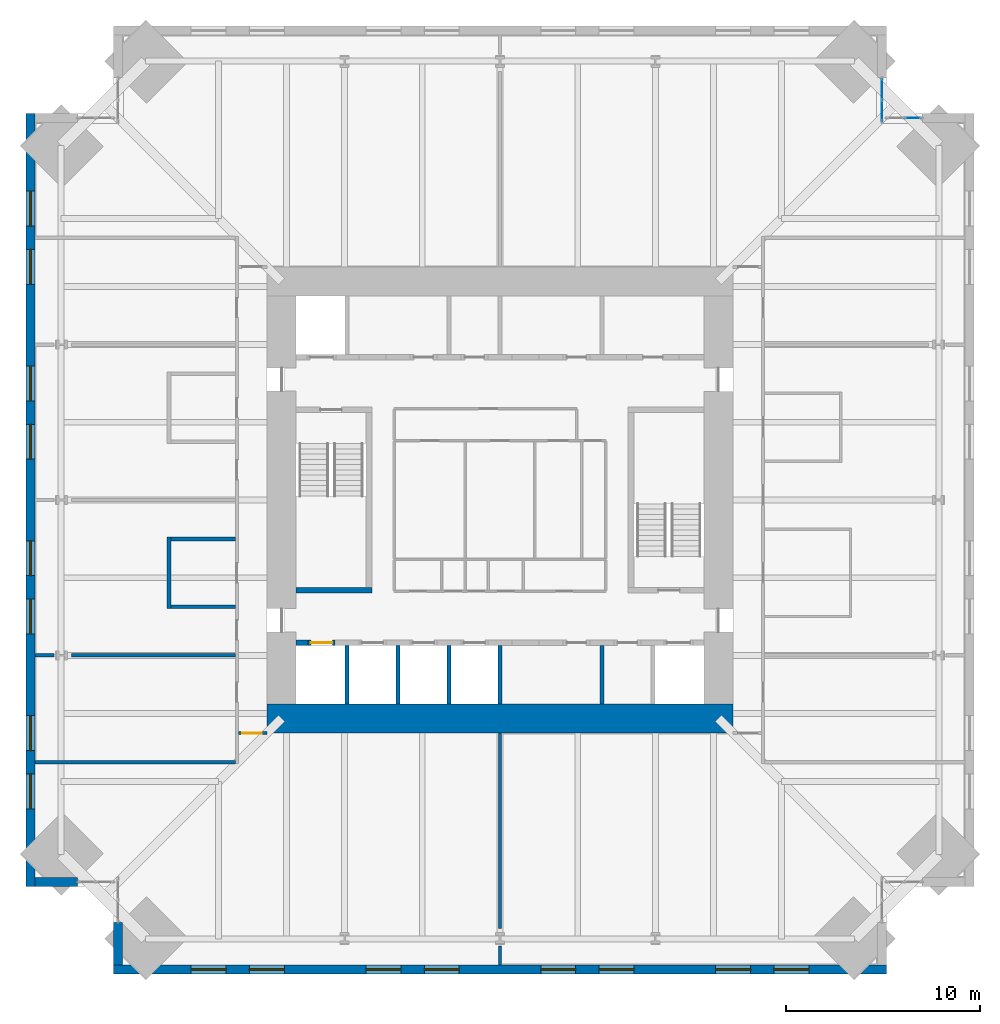
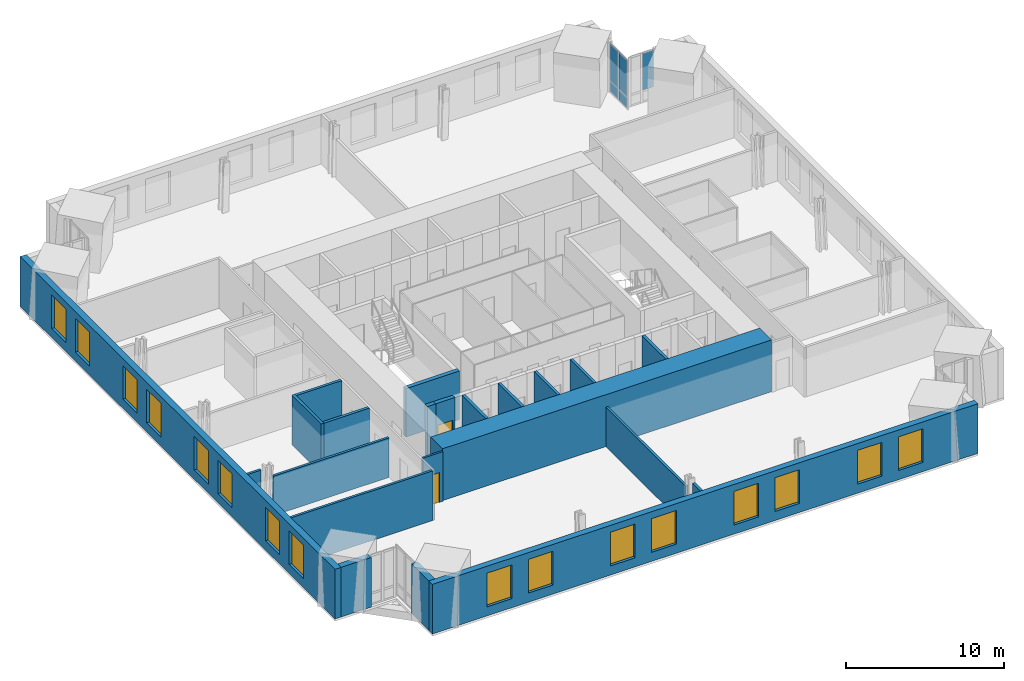
# One storey, part 10 of 15: 22 walls, 16 windows, 5 plates, 2 doors, 18 openings, 2 elements without a shape of their own.
"""IFC4 building model written with IfcOpenShell, lengths in metres."""

from ifc_helpers import new_model, si_unit, direction, frame, frame_2d, origin, origin_2d, place, context, subcontext, project, spatial, rectangle, extrude, material, layer, layer_set, type_object, element, fill, aggregate, save


model = new_model("IFC4")

# Units and contexts
model_context = context("Model", 3, precision=1e-05, world=origin(), true_north=direction((0.0, 1.0)))
body_context = subcontext(model_context, "Body", "Model", "MODEL_VIEW")
ifc_project = project(units=[si_unit("LENGTHUNIT", "METRE"), si_unit("AREAUNIT", "SQUARE_METRE"), si_unit("VOLUMEUNIT", "CUBIC_METRE"), si_unit("PLANEANGLEUNIT", "RADIAN"), si_unit("MASSUNIT", "GRAM", prefix="KILO")], contexts=[model_context])

# Site, building, storey
site_placement = place(None, origin())
site = spatial("IfcSite", under=ifc_project, at=site_placement, CompositionType="ELEMENT")
building_placement = place(site_placement, origin())
building = spatial("IfcBuilding", under=site, at=building_placement, Name="Peilmerk Tower", CompositionType="ELEMENT")
storey_placement = place(building_placement, frame((0.0, 0.0, 205.800048828125)))
storey = spatial("IfcBuildingStorey", under=building, at=storey_placement, Name="L44", CompositionType="ELEMENT", Elevation=205.800048828125)

# Curtain wall, plates
ifc_material_1 = material(Name="Aluminium stick curtain wall", Category="aluminium")
curtain_wall_type = type_object("IfcCurtainWallType", Name="CW4 stick curtain wall, 2250 module", PredefinedType="NOTDEFINED", material=ifc_material_1)
curtain_wall_1_placement = place(storey_placement, origin())
curtain_wall_1 = element("IfcCurtainWall", 1, at=curtain_wall_1_placement, inside=storey, type_object=curtain_wall_type, Name="Curtain wall CW4 NEA L44", PredefinedType="NOTDEFINED")
ifc_material_2 = material(Name="Clear insulated glazing unit", Category="glass")
ifc_layer_1 = layer(ifc_material_2, 0.028076171875)
ifc_layer_set_1 = layer_set([ifc_layer_1], Name="Clear insulated glazing unit")
plate_type = type_object("IfcPlateType", Name="CW4-P 28 glazed panel", PredefinedType="CURTAIN_PANEL", material=ifc_layer_set_1)
plate_1_placement = place(storey_placement, frame((19.675048828125, 20.038330078125, 0.06494140625), z_axis=(0.0, 0.0, 1.0), x_axis=(0.0, 1.0, 0.0)))
plate_1 = element("IfcPlate", 2, at=plate_1_placement, type_object=plate_type, Name="CW4 panel 1.1", PredefinedType="CURTAIN_PANEL", context=body_context, shape_type="SweptSolid", body=[
    extrude(rectangle(XDim=1.046875, YDim=0.028076171875, at=origin_2d()), origin(), (0.0, 0.0, 1.0), 0.802490234375),
])
plate_2_placement = place(storey_placement, frame((19.675048828125, 20.038330078125, 0.932373046875), z_axis=(0.0, 0.0, 1.0), x_axis=(0.0, 1.0, 0.0)))
plate_2 = element("IfcPlate", 3, at=plate_2_placement, type_object=plate_type, Name="CW4 panel 1.2", PredefinedType="CURTAIN_PANEL", context=body_context, shape_type="SweptSolid", body=[
    extrude(rectangle(XDim=1.046875, YDim=0.028076171875, at=origin_2d()), origin(), (0.0, 0.0, 1.0), 2.83251953125),
])
plate_3_placement = place(storey_placement, frame((19.675048828125, 21.150146484375, 0.06494140625), z_axis=(0.0, 0.0, 1.0), x_axis=(0.0, 1.0, 0.0)))
plate_3 = element("IfcPlate", 4, at=plate_3_placement, type_object=plate_type, Name="CW4 panel 2.1", PredefinedType="CURTAIN_PANEL", context=body_context, shape_type="SweptSolid", body=[
    extrude(rectangle(XDim=1.046875, YDim=0.028076171875, at=origin_2d()), origin(), (0.0, 0.0, 1.0), 0.802490234375),
])
plate_4_placement = place(storey_placement, frame((19.675048828125, 21.150146484375, 0.932373046875), z_axis=(0.0, 0.0, 1.0), x_axis=(0.0, 1.0, 0.0)))
plate_4 = element("IfcPlate", 5, at=plate_4_placement, type_object=plate_type, Name="CW4 panel 2.2", PredefinedType="CURTAIN_PANEL", context=body_context, shape_type="SweptSolid", body=[
    extrude(rectangle(XDim=1.046875, YDim=0.028076171875, at=origin_2d()), origin(), (0.0, 0.0, 1.0), 2.83251953125),
])
aggregate(curtain_wall_1, [plate_1, plate_2, plate_3, plate_4])

# Curtain wall, plate
curtain_wall_2_placement = place(storey_placement, origin())
curtain_wall_2 = element("IfcCurtainWall", 6, at=curtain_wall_2_placement, inside=storey, type_object=curtain_wall_type, Name="Curtain wall CW4 NEB L44", PredefinedType="NOTDEFINED")
plate_5_placement = place(storey_placement, frame((21.2626953125, 19.675048828125, 0.932373046875), z_axis=(0.0, 0.0, 1.0), x_axis=(1.0, 0.0, 0.0)))
plate_5 = element("IfcPlate", 7, at=plate_5_placement, type_object=plate_type, Name="CW4 panel 2.2", PredefinedType="CURTAIN_PANEL", context=body_context, shape_type="SweptSolid", body=[
    extrude(rectangle(XDim=0.82177734375, YDim=0.028076171875, at=origin_2d()), origin(), (0.0, 0.0, 1.0), 2.83251953125),
])
aggregate(curtain_wall_2, [plate_5])

# Wall, openings, windows
ifc_material_3 = material(Name="Precast concrete C45/55, board-marked finish", Category="concrete")
ifc_layer_2 = layer(ifc_material_3, 0.449951171875)
ifc_layer_set_2 = layer_set([ifc_layer_2], Name="Precast concrete C45/55, board-marked finish")
wall_type_1 = type_object("IfcWallType", Name="EW1 450 precast concrete facade wall, board-marked", PredefinedType="SOLIDWALL", material=ifc_layer_set_2)
wall_1_placement = place(storey_placement, frame((-19.89990234375, -24.175048828125, 0.0), z_axis=(0.0, 0.0, 1.0), x_axis=(1.0, 0.0, 0.0)))
wall_1 = element("IfcWall", 8, at=wall_1_placement, inside=storey, type_object=wall_type_1, Name="Facade wall S L44", PredefinedType="SOLIDWALL", context=body_context, shape_type="SweptSolid", body=[
    extrude(rectangle(XDim=39.7998046875, YDim=0.449951171875, at=frame_2d((19.89990234375, 0.0))), origin(), (0.0, 0.0, 1.0), 3.829833984375),
])
opening_1_placement = place(wall_1_placement, frame((4.0, 0.0, 0.699951171875)))
opening_1 = element("IfcOpeningElement", 9, at=opening_1_placement, cuts=wall_1, Name="Opening W1", PredefinedType="OPENING", context=body_context, shape_type="SweptSolid", body=[
    extrude(rectangle(XDim=1.800048828125, YDim=2.60009765625, at=frame_2d((0.89990234375, 1.300048828125))), frame((0.0, 0.23486328125, 0.0), z_axis=(0.0, -1.0, 0.0), x_axis=(1.0, 0.0, 0.0)), (0.0, 0.0, 1.0), 0.469970703125),
])
opening_2_placement = place(wall_1_placement, frame((7.0, 0.0, 0.699951171875)))
opening_2 = element("IfcOpeningElement", 10, at=opening_2_placement, cuts=wall_1, Name="Opening W1", PredefinedType="OPENING", context=body_context, shape_type="SweptSolid", body=[
    extrude(rectangle(XDim=1.800048828125, YDim=2.60009765625, at=frame_2d((0.89990234375, 1.300048828125))), frame((0.0, 0.23486328125, 0.0), z_axis=(0.0, -1.0, 0.0), x_axis=(1.0, 0.0, 0.0)), (0.0, 0.0, 1.0), 0.469970703125),
])
opening_3_placement = place(wall_1_placement, frame((13.0, 0.0, 0.699951171875)))
opening_3 = element("IfcOpeningElement", 11, at=opening_3_placement, cuts=wall_1, Name="Opening W1", PredefinedType="OPENING", context=body_context, shape_type="SweptSolid", body=[
    extrude(rectangle(XDim=1.800048828125, YDim=2.60009765625, at=frame_2d((0.89990234375, 1.300048828125))), frame((0.0, 0.23486328125, 0.0), z_axis=(0.0, -1.0, 0.0), x_axis=(1.0, 0.0, 0.0)), (0.0, 0.0, 1.0), 0.469970703125),
])
opening_4_placement = place(wall_1_placement, frame((16.0, 0.0, 0.699951171875)))
opening_4 = element("IfcOpeningElement", 12, at=opening_4_placement, cuts=wall_1, Name="Opening W1", PredefinedType="OPENING", context=body_context, shape_type="SweptSolid", body=[
    extrude(rectangle(XDim=1.800048828125, YDim=2.60009765625, at=frame_2d((0.89990234375, 1.300048828125))), frame((0.0, 0.23486328125, 0.0), z_axis=(0.0, -1.0, 0.0), x_axis=(1.0, 0.0, 0.0)), (0.0, 0.0, 1.0), 0.469970703125),
])
opening_5_placement = place(wall_1_placement, frame((22.0, 0.0, 0.699951171875)))
opening_5 = element("IfcOpeningElement", 13, at=opening_5_placement, cuts=wall_1, Name="Opening W1", PredefinedType="OPENING", context=body_context, shape_type="SweptSolid", body=[
    extrude(rectangle(XDim=1.800048828125, YDim=2.60009765625, at=frame_2d((0.89990234375, 1.300048828125))), frame((0.0, 0.23486328125, 0.0), z_axis=(0.0, -1.0, 0.0), x_axis=(1.0, 0.0, 0.0)), (0.0, 0.0, 1.0), 0.469970703125),
])
opening_6_placement = place(wall_1_placement, frame((25.0, 0.0, 0.699951171875)))
opening_6 = element("IfcOpeningElement", 14, at=opening_6_placement, cuts=wall_1, Name="Opening W1", PredefinedType="OPENING", context=body_context, shape_type="SweptSolid", body=[
    extrude(rectangle(XDim=1.800048828125, YDim=2.60009765625, at=frame_2d((0.89990234375, 1.300048828125))), frame((0.0, 0.23486328125, 0.0), z_axis=(0.0, -1.0, 0.0), x_axis=(1.0, 0.0, 0.0)), (0.0, 0.0, 1.0), 0.469970703125),
])
opening_7_placement = place(wall_1_placement, frame((31.0, 0.0, 0.699951171875)))
opening_7 = element("IfcOpeningElement", 15, at=opening_7_placement, cuts=wall_1, Name="Opening W1", PredefinedType="OPENING", context=body_context, shape_type="SweptSolid", body=[
    extrude(rectangle(XDim=1.800048828125, YDim=2.60009765625, at=frame_2d((0.89990234375, 1.300048828125))), frame((0.0, 0.23486328125, 0.0), z_axis=(0.0, -1.0, 0.0), x_axis=(1.0, 0.0, 0.0)), (0.0, 0.0, 1.0), 0.469970703125),
])
opening_8_placement = place(wall_1_placement, frame((34.0, 0.0, 0.699951171875)))
opening_8 = element("IfcOpeningElement", 16, at=opening_8_placement, cuts=wall_1, Name="Opening W1", PredefinedType="OPENING", context=body_context, shape_type="SweptSolid", body=[
    extrude(rectangle(XDim=1.800048828125, YDim=2.60009765625, at=frame_2d((0.89990234375, 1.300048828125))), frame((0.0, 0.23486328125, 0.0), z_axis=(0.0, -1.0, 0.0), x_axis=(1.0, 0.0, 0.0)), (0.0, 0.0, 1.0), 0.469970703125),
])
ifc_material_4 = material(Name="Aluminium frame, clear double glazing", Category="aluminium")
window_type = type_object("IfcWindowType", Name="W1 1800x2600 office window", PartitioningType="SINGLE_PANEL", PredefinedType="WINDOW", material=ifc_material_4)
window_1_placement = place(opening_1_placement, origin())
window_1 = element("IfcWindow", 17, at=window_1_placement, inside=storey, type_object=window_type, Name="Window W1 L44", OverallHeight=2.60009765625, OverallWidth=1.800048828125, PartitioningType="SINGLE_PANEL", PredefinedType="WINDOW", context=body_context, shape_type="SweptSolid", body=[
    extrude(rectangle(XDim=1.800048828125, YDim=2.60009765625, at=frame_2d((0.89990234375, 1.300048828125))), frame((0.0, 0.030029296875, 0.0), z_axis=(0.0, -1.0, 0.0), x_axis=(1.0, 0.0, 0.0)), (0.0, 0.0, 1.0), 0.06005859375),
])
fill(opening_1, window_1)
window_2_placement = place(opening_2_placement, origin())
window_2 = element("IfcWindow", 18, at=window_2_placement, inside=storey, type_object=window_type, Name="Window W1 L44", OverallHeight=2.60009765625, OverallWidth=1.800048828125, PartitioningType="SINGLE_PANEL", PredefinedType="WINDOW", context=body_context, shape_type="SweptSolid", body=[
    extrude(rectangle(XDim=1.800048828125, YDim=2.60009765625, at=frame_2d((0.89990234375, 1.300048828125))), frame((0.0, 0.030029296875, 0.0), z_axis=(0.0, -1.0, 0.0), x_axis=(1.0, 0.0, 0.0)), (0.0, 0.0, 1.0), 0.06005859375),
])
fill(opening_2, window_2)
window_3_placement = place(opening_3_placement, origin())
window_3 = element("IfcWindow", 19, at=window_3_placement, inside=storey, type_object=window_type, Name="Window W1 L44", OverallHeight=2.60009765625, OverallWidth=1.800048828125, PartitioningType="SINGLE_PANEL", PredefinedType="WINDOW", context=body_context, shape_type="SweptSolid", body=[
    extrude(rectangle(XDim=1.800048828125, YDim=2.60009765625, at=frame_2d((0.89990234375, 1.300048828125))), frame((0.0, 0.030029296875, 0.0), z_axis=(0.0, -1.0, 0.0), x_axis=(1.0, 0.0, 0.0)), (0.0, 0.0, 1.0), 0.06005859375),
])
fill(opening_3, window_3)
window_4_placement = place(opening_4_placement, origin())
window_4 = element("IfcWindow", 20, at=window_4_placement, inside=storey, type_object=window_type, Name="Window W1 L44", OverallHeight=2.60009765625, OverallWidth=1.800048828125, PartitioningType="SINGLE_PANEL", PredefinedType="WINDOW", context=body_context, shape_type="SweptSolid", body=[
    extrude(rectangle(XDim=1.800048828125, YDim=2.60009765625, at=frame_2d((0.89990234375, 1.300048828125))), frame((0.0, 0.030029296875, 0.0), z_axis=(0.0, -1.0, 0.0), x_axis=(1.0, 0.0, 0.0)), (0.0, 0.0, 1.0), 0.06005859375),
])
fill(opening_4, window_4)
window_5_placement = place(opening_5_placement, origin())
window_5 = element("IfcWindow", 21, at=window_5_placement, inside=storey, type_object=window_type, Name="Window W1 L44", OverallHeight=2.60009765625, OverallWidth=1.800048828125, PartitioningType="SINGLE_PANEL", PredefinedType="WINDOW", context=body_context, shape_type="SweptSolid", body=[
    extrude(rectangle(XDim=1.800048828125, YDim=2.60009765625, at=frame_2d((0.89990234375, 1.300048828125))), frame((0.0, 0.030029296875, 0.0), z_axis=(0.0, -1.0, 0.0), x_axis=(1.0, 0.0, 0.0)), (0.0, 0.0, 1.0), 0.06005859375),
])
fill(opening_5, window_5)
window_6_placement = place(opening_6_placement, origin())
window_6 = element("IfcWindow", 22, at=window_6_placement, inside=storey, type_object=window_type, Name="Window W1 L44", OverallHeight=2.60009765625, OverallWidth=1.800048828125, PartitioningType="SINGLE_PANEL", PredefinedType="WINDOW", context=body_context, shape_type="SweptSolid", body=[
    extrude(rectangle(XDim=1.800048828125, YDim=2.60009765625, at=frame_2d((0.89990234375, 1.300048828125))), frame((0.0, 0.030029296875, 0.0), z_axis=(0.0, -1.0, 0.0), x_axis=(1.0, 0.0, 0.0)), (0.0, 0.0, 1.0), 0.06005859375),
])
fill(opening_6, window_6)
window_7_placement = place(opening_7_placement, origin())
window_7 = element("IfcWindow", 23, at=window_7_placement, inside=storey, type_object=window_type, Name="Window W1 L44", OverallHeight=2.60009765625, OverallWidth=1.800048828125, PartitioningType="SINGLE_PANEL", PredefinedType="WINDOW", context=body_context, shape_type="SweptSolid", body=[
    extrude(rectangle(XDim=1.800048828125, YDim=2.60009765625, at=frame_2d((0.89990234375, 1.300048828125))), frame((0.0, 0.030029296875, 0.0), z_axis=(0.0, -1.0, 0.0), x_axis=(1.0, 0.0, 0.0)), (0.0, 0.0, 1.0), 0.06005859375),
])
fill(opening_7, window_7)
window_8_placement = place(opening_8_placement, origin())
window_8 = element("IfcWindow", 24, at=window_8_placement, inside=storey, type_object=window_type, Name="Window W1 L44", OverallHeight=2.60009765625, OverallWidth=1.800048828125, PartitioningType="SINGLE_PANEL", PredefinedType="WINDOW", context=body_context, shape_type="SweptSolid", body=[
    extrude(rectangle(XDim=1.800048828125, YDim=2.60009765625, at=frame_2d((0.89990234375, 1.300048828125))), frame((0.0, 0.030029296875, 0.0), z_axis=(0.0, -1.0, 0.0), x_axis=(1.0, 0.0, 0.0)), (0.0, 0.0, 1.0), 0.06005859375),
])
fill(opening_8, window_8)

wall_2_placement = place(storey_placement, frame((-24.175048828125, 19.89990234375, 0.0), z_axis=(0.0, 0.0, 1.0), x_axis=(0.0, -1.0, 0.0)))
wall_2 = element("IfcWall", 25, at=wall_2_placement, inside=storey, type_object=wall_type_1, Name="Facade wall W L44", PredefinedType="SOLIDWALL", context=body_context, shape_type="SweptSolid", body=[
    extrude(rectangle(XDim=39.7998046875, YDim=0.449951171875, at=frame_2d((19.89990234375, 0.0))), origin(), (0.0, 0.0, 1.0), 3.829833984375),
])
opening_9_placement = place(wall_2_placement, frame((4.0, 0.0, 0.699951171875)))
opening_9 = element("IfcOpeningElement", 26, at=opening_9_placement, cuts=wall_2, Name="Opening W1", PredefinedType="OPENING", context=body_context, shape_type="SweptSolid", body=[
    extrude(rectangle(XDim=1.800048828125, YDim=2.60009765625, at=frame_2d((0.89990234375, 1.300048828125))), frame((0.0, 0.23486328125, 0.0), z_axis=(0.0, -1.0, 0.0), x_axis=(1.0, 0.0, 0.0)), (0.0, 0.0, 1.0), 0.469970703125),
])
opening_10_placement = place(wall_2_placement, frame((7.0, 0.0, 0.699951171875)))
opening_10 = element("IfcOpeningElement", 27, at=opening_10_placement, cuts=wall_2, Name="Opening W1", PredefinedType="OPENING", context=body_context, shape_type="SweptSolid", body=[
    extrude(rectangle(XDim=1.800048828125, YDim=2.60009765625, at=frame_2d((0.89990234375, 1.300048828125))), frame((0.0, 0.23486328125, 0.0), z_axis=(0.0, -1.0, 0.0), x_axis=(1.0, 0.0, 0.0)), (0.0, 0.0, 1.0), 0.469970703125),
])
opening_11_placement = place(wall_2_placement, frame((13.0, 0.0, 0.699951171875)))
opening_11 = element("IfcOpeningElement", 28, at=opening_11_placement, cuts=wall_2, Name="Opening W1", PredefinedType="OPENING", context=body_context, shape_type="SweptSolid", body=[
    extrude(rectangle(XDim=1.800048828125, YDim=2.60009765625, at=frame_2d((0.89990234375, 1.300048828125))), frame((0.0, 0.23486328125, 0.0), z_axis=(0.0, -1.0, 0.0), x_axis=(1.0, 0.0, 0.0)), (0.0, 0.0, 1.0), 0.469970703125),
])
opening_12_placement = place(wall_2_placement, frame((16.0, 0.0, 0.699951171875)))
opening_12 = element("IfcOpeningElement", 29, at=opening_12_placement, cuts=wall_2, Name="Opening W1", PredefinedType="OPENING", context=body_context, shape_type="SweptSolid", body=[
    extrude(rectangle(XDim=1.800048828125, YDim=2.60009765625, at=frame_2d((0.89990234375, 1.300048828125))), frame((0.0, 0.23486328125, 0.0), z_axis=(0.0, -1.0, 0.0), x_axis=(1.0, 0.0, 0.0)), (0.0, 0.0, 1.0), 0.469970703125),
])
opening_13_placement = place(wall_2_placement, frame((22.0, 0.0, 0.699951171875)))
opening_13 = element("IfcOpeningElement", 30, at=opening_13_placement, cuts=wall_2, Name="Opening W1", PredefinedType="OPENING", context=body_context, shape_type="SweptSolid", body=[
    extrude(rectangle(XDim=1.800048828125, YDim=2.60009765625, at=frame_2d((0.89990234375, 1.300048828125))), frame((0.0, 0.23486328125, 0.0), z_axis=(0.0, -1.0, 0.0), x_axis=(1.0, 0.0, 0.0)), (0.0, 0.0, 1.0), 0.469970703125),
])
opening_14_placement = place(wall_2_placement, frame((25.0, 0.0, 0.699951171875)))
opening_14 = element("IfcOpeningElement", 31, at=opening_14_placement, cuts=wall_2, Name="Opening W1", PredefinedType="OPENING", context=body_context, shape_type="SweptSolid", body=[
    extrude(rectangle(XDim=1.800048828125, YDim=2.60009765625, at=frame_2d((0.89990234375, 1.300048828125))), frame((0.0, 0.23486328125, 0.0), z_axis=(0.0, -1.0, 0.0), x_axis=(1.0, 0.0, 0.0)), (0.0, 0.0, 1.0), 0.469970703125),
])
opening_15_placement = place(wall_2_placement, frame((31.0, 0.0, 0.699951171875)))
opening_15 = element("IfcOpeningElement", 32, at=opening_15_placement, cuts=wall_2, Name="Opening W1", PredefinedType="OPENING", context=body_context, shape_type="SweptSolid", body=[
    extrude(rectangle(XDim=1.800048828125, YDim=2.60009765625, at=frame_2d((0.89990234375, 1.300048828125))), frame((0.0, 0.23486328125, 0.0), z_axis=(0.0, -1.0, 0.0), x_axis=(1.0, 0.0, 0.0)), (0.0, 0.0, 1.0), 0.469970703125),
])
opening_16_placement = place(wall_2_placement, frame((34.0, 0.0, 0.699951171875)))
opening_16 = element("IfcOpeningElement", 33, at=opening_16_placement, cuts=wall_2, Name="Opening W1", PredefinedType="OPENING", context=body_context, shape_type="SweptSolid", body=[
    extrude(rectangle(XDim=1.800048828125, YDim=2.60009765625, at=frame_2d((0.89990234375, 1.300048828125))), frame((0.0, 0.23486328125, 0.0), z_axis=(0.0, -1.0, 0.0), x_axis=(1.0, 0.0, 0.0)), (0.0, 0.0, 1.0), 0.469970703125),
])
window_9_placement = place(opening_9_placement, origin())
window_9 = element("IfcWindow", 34, at=window_9_placement, inside=storey, type_object=window_type, Name="Window W1 L44", OverallHeight=2.60009765625, OverallWidth=1.800048828125, PartitioningType="SINGLE_PANEL", PredefinedType="WINDOW", context=body_context, shape_type="SweptSolid", body=[
    extrude(rectangle(XDim=1.800048828125, YDim=2.60009765625, at=frame_2d((0.89990234375, 1.300048828125))), frame((0.0, 0.030029296875, 0.0), z_axis=(0.0, -1.0, 0.0), x_axis=(1.0, 0.0, 0.0)), (0.0, 0.0, 1.0), 0.06005859375),
])
fill(opening_9, window_9)
window_10_placement = place(opening_10_placement, origin())
window_10 = element("IfcWindow", 35, at=window_10_placement, inside=storey, type_object=window_type, Name="Window W1 L44", OverallHeight=2.60009765625, OverallWidth=1.800048828125, PartitioningType="SINGLE_PANEL", PredefinedType="WINDOW", context=body_context, shape_type="SweptSolid", body=[
    extrude(rectangle(XDim=1.800048828125, YDim=2.60009765625, at=frame_2d((0.89990234375, 1.300048828125))), frame((0.0, 0.030029296875, 0.0), z_axis=(0.0, -1.0, 0.0), x_axis=(1.0, 0.0, 0.0)), (0.0, 0.0, 1.0), 0.06005859375),
])
fill(opening_10, window_10)
window_11_placement = place(opening_11_placement, origin())
window_11 = element("IfcWindow", 36, at=window_11_placement, inside=storey, type_object=window_type, Name="Window W1 L44", OverallHeight=2.60009765625, OverallWidth=1.800048828125, PartitioningType="SINGLE_PANEL", PredefinedType="WINDOW", context=body_context, shape_type="SweptSolid", body=[
    extrude(rectangle(XDim=1.800048828125, YDim=2.60009765625, at=frame_2d((0.89990234375, 1.300048828125))), frame((0.0, 0.030029296875, 0.0), z_axis=(0.0, -1.0, 0.0), x_axis=(1.0, 0.0, 0.0)), (0.0, 0.0, 1.0), 0.06005859375),
])
fill(opening_11, window_11)
window_12_placement = place(opening_12_placement, origin())
window_12 = element("IfcWindow", 37, at=window_12_placement, inside=storey, type_object=window_type, Name="Window W1 L44", OverallHeight=2.60009765625, OverallWidth=1.800048828125, PartitioningType="SINGLE_PANEL", PredefinedType="WINDOW", context=body_context, shape_type="SweptSolid", body=[
    extrude(rectangle(XDim=1.800048828125, YDim=2.60009765625, at=frame_2d((0.89990234375, 1.300048828125))), frame((0.0, 0.030029296875, 0.0), z_axis=(0.0, -1.0, 0.0), x_axis=(1.0, 0.0, 0.0)), (0.0, 0.0, 1.0), 0.06005859375),
])
fill(opening_12, window_12)
window_13_placement = place(opening_13_placement, origin())
window_13 = element("IfcWindow", 38, at=window_13_placement, inside=storey, type_object=window_type, Name="Window W1 L44", OverallHeight=2.60009765625, OverallWidth=1.800048828125, PartitioningType="SINGLE_PANEL", PredefinedType="WINDOW", context=body_context, shape_type="SweptSolid", body=[
    extrude(rectangle(XDim=1.800048828125, YDim=2.60009765625, at=frame_2d((0.89990234375, 1.300048828125))), frame((0.0, 0.030029296875, 0.0), z_axis=(0.0, -1.0, 0.0), x_axis=(1.0, 0.0, 0.0)), (0.0, 0.0, 1.0), 0.06005859375),
])
fill(opening_13, window_13)
window_14_placement = place(opening_14_placement, origin())
window_14 = element("IfcWindow", 39, at=window_14_placement, inside=storey, type_object=window_type, Name="Window W1 L44", OverallHeight=2.60009765625, OverallWidth=1.800048828125, PartitioningType="SINGLE_PANEL", PredefinedType="WINDOW", context=body_context, shape_type="SweptSolid", body=[
    extrude(rectangle(XDim=1.800048828125, YDim=2.60009765625, at=frame_2d((0.89990234375, 1.300048828125))), frame((0.0, 0.030029296875, 0.0), z_axis=(0.0, -1.0, 0.0), x_axis=(1.0, 0.0, 0.0)), (0.0, 0.0, 1.0), 0.06005859375),
])
fill(opening_14, window_14)
window_15_placement = place(opening_15_placement, origin())
window_15 = element("IfcWindow", 40, at=window_15_placement, inside=storey, type_object=window_type, Name="Window W1 L44", OverallHeight=2.60009765625, OverallWidth=1.800048828125, PartitioningType="SINGLE_PANEL", PredefinedType="WINDOW", context=body_context, shape_type="SweptSolid", body=[
    extrude(rectangle(XDim=1.800048828125, YDim=2.60009765625, at=frame_2d((0.89990234375, 1.300048828125))), frame((0.0, 0.030029296875, 0.0), z_axis=(0.0, -1.0, 0.0), x_axis=(1.0, 0.0, 0.0)), (0.0, 0.0, 1.0), 0.06005859375),
])
fill(opening_15, window_15)
window_16_placement = place(opening_16_placement, origin())
window_16 = element("IfcWindow", 41, at=window_16_placement, inside=storey, type_object=window_type, Name="Window W1 L44", OverallHeight=2.60009765625, OverallWidth=1.800048828125, PartitioningType="SINGLE_PANEL", PredefinedType="WINDOW", context=body_context, shape_type="SweptSolid", body=[
    extrude(rectangle(XDim=1.800048828125, YDim=2.60009765625, at=frame_2d((0.89990234375, 1.300048828125))), frame((0.0, 0.030029296875, 0.0), z_axis=(0.0, -1.0, 0.0), x_axis=(1.0, 0.0, 0.0)), (0.0, 0.0, 1.0), 0.06005859375),
])
fill(opening_16, window_16)

# Walls
for number, where, z_axis, x_axis, name in (
    (42, (-19.675048828125, -21.753662109375, 0.0), (0.0, 0.0, 1.0), (0.0, -1.0, 0.0), "Facade wall SWA L44"),
    (43, (-21.753662109375, -19.675048828125, 0.0), (0.0, 0.0, 1.0), (-1.0, 0.0, 0.0), "Facade wall SWB L44"),
):
    element("IfcWall", number, at=place(storey_placement, frame(where, z_axis=z_axis, x_axis=x_axis)), inside=storey, type_object=wall_type_1, Name=name, PredefinedType="SOLIDWALL", context=body_context, shape_type="SweptSolid", body=[
        extrude(rectangle(XDim=2.1962890625, YDim=0.449951171875, at=frame_2d((1.09814453125, 0.0))), origin(), (0.0, 0.0, 1.0), 3.829833984375),
    ])

# Wall, opening, door
ifc_material_5 = material(Name="Calcium silicate block", Category="masonry")
ifc_layer_3 = layer(ifc_material_5, 0.14990234375)
ifc_layer_set_3 = layer_set([ifc_layer_3], Name="Calcium silicate block")
wall_type_2 = type_object("IfcWallType", Name="IW1 150 corridor partition, EI 60", PredefinedType="PARTITIONING", material=ifc_layer_set_3)
wall_3_placement = place(storey_placement, frame((-12.0, -12.0, 0.0), z_axis=(0.0, 0.0, 1.0), x_axis=(-1.0, 0.0, 0.0)))
wall_3 = element("IfcWall", 44, at=wall_3_placement, inside=storey, type_object=wall_type_2, Name="Corridor wall SW L44", PredefinedType="PARTITIONING", context=body_context, shape_type="SweptSolid", body=[
    extrude(rectangle(XDim=1.47509765625, YDim=0.14990234375, at=frame_2d((0.737548828125, 0.0))), origin(), (0.0, 0.0, 1.0), 3.829833984375),
])
opening_17_placement = place(wall_3_placement, frame((0.27490234375, 0.0, 0.0)))
opening_17 = element("IfcOpeningElement", 45, at=opening_17_placement, cuts=wall_3, Name="Opening D1", PredefinedType="OPENING", context=body_context, shape_type="SweptSolid", body=[
    extrude(rectangle(XDim=1.0, YDim=2.300048828125, at=frame_2d((0.5, 1.14990234375))), frame((0.0, 0.0849609375, 0.0), z_axis=(0.0, -1.0, 0.0), x_axis=(1.0, 0.0, 0.0)), (0.0, 0.0, 1.0), 0.169921875),
])
ifc_material_6 = material(Name="Timber door in steel frame", Category="steel")
door_type_1 = type_object("IfcDoorType", Name="D1 1000x2300 room door, EI2 30", OperationType="SINGLE_SWING_LEFT", PredefinedType="DOOR", material=ifc_material_6)
door_1_placement = place(opening_17_placement, origin())
door_1 = element("IfcDoor", 46, at=door_1_placement, inside=storey, type_object=door_type_1, Name="Door Test lab L44", OperationType="SINGLE_SWING_LEFT", OverallHeight=2.300048828125, OverallWidth=1.0, PredefinedType="DOOR", context=body_context, shape_type="SweptSolid", body=[
    extrude(rectangle(XDim=1.0, YDim=2.300048828125, at=frame_2d((0.5, 1.14990234375))), frame((0.0, 0.02490234375, 0.0), z_axis=(0.0, -1.0, 0.0), x_axis=(1.0, 0.0, 0.0)), (0.0, 0.0, 1.0), 0.050048828125),
])
fill(opening_17, door_1)

# Walls
ifc_layer_4 = layer(ifc_material_5, 0.199951171875)
ifc_layer_set_4 = layer_set([ifc_layer_4], Name="Calcium silicate block")
wall_type_3 = type_object("IfcWallType", Name="IW2 200 room separating wall, EI 120", PredefinedType="PARTITIONING", material=ifc_layer_set_4)
wall_4_placement = place(storey_placement, frame((-17.050048828125, -5.60009765625, 0.0), z_axis=(0.0, 0.0, 1.0), x_axis=(0.0, 1.0, 0.0)))
element("IfcWall", 47, at=wall_4_placement, inside=storey, type_object=wall_type_3, Name="Room separating wall Instrument workshop L44", PredefinedType="PARTITIONING", context=body_context, shape_type="SweptSolid", body=[
    extrude(rectangle(XDim=3.7001953125, YDim=0.199951171875, at=frame_2d((1.85009765625, 0.0))), origin(), (0.0, 0.0, 1.0), 3.829833984375),
])
for number, where, z_axis, x_axis, name in (
    (48, (-13.625, -5.5, 0.0), (0.0, 0.0, 1.0), (-1.0, 0.0, 0.0), "Room separating wall Instrument workshop L44"),
    (49, (-13.625, -2.0, 0.0), (0.0, 0.0, 1.0), (-1.0, 0.0, 0.0), "Room separating wall Instrument workshop L44"),
):
    element("IfcWall", number, at=place(storey_placement, frame(where, z_axis=z_axis, x_axis=x_axis)), inside=storey, type_object=wall_type_3, Name=name, PredefinedType="PARTITIONING", context=body_context, shape_type="SweptSolid", body=[
        extrude(rectangle(XDim=3.324951171875, YDim=0.199951171875, at=frame_2d((1.66259765625, 0.0))), origin(), (0.0, 0.0, 1.0), 3.829833984375),
    ])
ifc_material_7 = material(Name="Concrete C35/45", Category="concrete")
ifc_layer_5 = layer(ifc_material_7, 0.300048828125)
ifc_layer_set_5 = layer_set([ifc_layer_5], Name="Concrete C35/45")
wall_type_4 = type_object("IfcWallType", Name="IW3 300 concrete stair enclosure wall, EI 120", PredefinedType="SOLIDWALL", material=ifc_layer_set_5)
wall_5_placement = place(storey_placement, frame((-6.60009765625, -4.64990234375, 0.0), z_axis=(0.0, 0.0, 1.0), x_axis=(-1.0, 0.0, 0.0)))
element("IfcWall", 50, at=wall_5_placement, inside=storey, type_object=wall_type_4, Name="Stair 1 enclosure L44", PredefinedType="SOLIDWALL", context=body_context, shape_type="SweptSolid", body=[
    extrude(rectangle(XDim=3.89990234375, YDim=0.300048828125, at=frame_2d((1.949951171875, 0.0))), origin(), (0.0, 0.0, 1.0), 3.75),
])
ifc_layer_6 = layer(ifc_material_5, 0.175048828125)
ifc_layer_set_6 = layer_set([ifc_layer_6], Name="Calcium silicate block")
wall_type_5 = type_object("IfcWallType", Name="IW8 175 tenant separating wall, EI 60", PredefinedType="PARTITIONING", material=ifc_layer_set_6)
wall_6_placement = place(storey_placement, frame((-13.625, -13.5, 0.0), z_axis=(0.0, 0.0, 1.0), x_axis=(-1.0, 0.0, 0.0)))
element("IfcWall", 51, at=wall_6_placement, inside=storey, type_object=wall_type_5, Name="Tenant separating wall SW L44", PredefinedType="PARTITIONING", context=body_context, shape_type="SweptSolid", body=[
    extrude(rectangle(XDim=10.324951171875, YDim=0.175048828125, at=frame_2d((5.16259765625, 0.0))), origin(), (0.0, 0.0, 1.0), 3.829833984375),
])
wall_7_placement = place(storey_placement, frame((0.0, -12.0, 0.0), z_axis=(0.0, 0.0, 1.0), x_axis=(0.0, -1.0, 0.0)))
element("IfcWall", 52, at=wall_7_placement, inside=storey, type_object=wall_type_5, Name="Tenant separating wall S1 L44", PredefinedType="PARTITIONING", context=body_context, shape_type="SweptSolid", body=[
    extrude(rectangle(XDim=10.0732421875, YDim=0.175048828125, at=frame_2d((5.03662109375, 0.0))), origin(), (0.0, 0.0, 1.0), 3.0400390625),
])
wall_8_placement = place(storey_placement, frame((0.0, -22.96240234375, 0.0), z_axis=(0.0, 0.0, 1.0), x_axis=(0.0, -1.0, 0.0)))
element("IfcWall", 53, at=wall_8_placement, inside=storey, type_object=wall_type_5, Name="Tenant separating wall S1b L44", PredefinedType="PARTITIONING", context=body_context, shape_type="SweptSolid", body=[
    extrude(rectangle(XDim=0.987548828125, YDim=0.175048828125, at=frame_2d((0.49365234375, 0.0))), origin(), (0.0, 0.0, 1.0), 3.829833984375),
])
wall_9_placement = place(storey_placement, frame((-13.625, -8.0, 0.0), z_axis=(0.0, 0.0, 1.0), x_axis=(-1.0, 0.0, 0.0)))
element("IfcWall", 54, at=wall_9_placement, inside=storey, type_object=wall_type_5, Name="Tenant separating wall W1 L44", PredefinedType="PARTITIONING", context=body_context, shape_type="SweptSolid", body=[
    extrude(rectangle(XDim=8.4482421875, YDim=0.175048828125, at=frame_2d((4.22412109375, 0.0))), origin(), (0.0, 0.0, 1.0), 3.0400390625),
])
wall_10_placement = place(storey_placement, frame((-22.96240234375, -8.0, 0.0), z_axis=(0.0, 0.0, 1.0), x_axis=(-1.0, 0.0, 0.0)))
element("IfcWall", 55, at=wall_10_placement, inside=storey, type_object=wall_type_5, Name="Tenant separating wall W1b L44", PredefinedType="PARTITIONING", context=body_context, shape_type="SweptSolid", body=[
    extrude(rectangle(XDim=0.987548828125, YDim=0.175048828125, at=frame_2d((0.49365234375, 0.0))), origin(), (0.0, 0.0, 1.0), 3.829833984375),
])
ifc_layer_7 = layer(ifc_material_5, 0.199951171875)
ifc_layer_set_7 = layer_set([ifc_layer_7], Name="Calcium silicate block")
wall_type_6 = type_object("IfcWallType", Name="SH1 200 shaft dividing wall, EI 120", PredefinedType="PARTITIONING", material=ifc_layer_set_7)
for number, where, z_axis, x_axis, name in (
    (56, (-7.875, -10.5, 0.0), (0.0, 0.0, 1.0), (0.0, 1.0, 0.0), "Shaft wall S C4 L44"),
    (57, (-5.25, -10.5, 0.0), (0.0, 0.0, 1.0), (0.0, 1.0, 0.0), "Shaft wall S C3 L44"),
    (58, (-2.625, -10.5, 0.0), (0.0, 0.0, 1.0), (0.0, 1.0, 0.0), "Shaft wall S C2 L44"),
    (59, (0.0, -10.5, 0.0), (0.0, 0.0, 1.0), (0.0, 1.0, 0.0), "Shaft wall S C1 L44"),
    (60, (5.25, -10.5, 0.0), (0.0, 0.0, 1.0), (0.0, 1.0, 0.0), "Shaft wall S B2 L44"),
):
    element("IfcWall", number, at=place(storey_placement, frame(where, z_axis=z_axis, x_axis=x_axis)), inside=storey, type_object=wall_type_6, Name=name, PredefinedType="PARTITIONING", context=body_context, shape_type="SweptSolid", body=[
        extrude(rectangle(XDim=3.0, YDim=0.199951171875, at=frame_2d((1.5, 0.0))), origin(), (0.0, 0.0, 1.0), 4.0),
    ])

# Wall, opening, door
ifc_layer_8 = layer(ifc_material_5, 0.300048828125)
ifc_layer_set_8 = layer_set([ifc_layer_8], Name="Calcium silicate block")
wall_type_7 = type_object("IfcWallType", Name="SH2 300 lift landing door panel, EI 120", PredefinedType="PARTITIONING", material=ifc_layer_set_8)
wall_11_placement = place(storey_placement, frame((-9.887451171875, -7.35009765625, 0.0), z_axis=(0.0, 0.0, 1.0), x_axis=(1.0, 0.0, 0.0)))
wall_11 = element("IfcWall", 61, at=wall_11_placement, inside=storey, type_object=wall_type_7, Name="Lift door panel S C4 L44", PredefinedType="PARTITIONING", context=body_context, shape_type="SweptSolid", body=[
    extrude(rectangle(XDim=1.39990234375, YDim=0.300048828125, at=frame_2d((0.699951171875, 0.0))), origin(), (0.0, 0.0, 1.0), 4.0),
])
opening_18_placement = place(wall_11_placement, frame((0.14990234375, 0.0, 0.0)))
opening_18 = element("IfcOpeningElement", 62, at=opening_18_placement, cuts=wall_11, Name="Opening LD1", PredefinedType="OPENING", context=body_context, shape_type="SweptSolid", body=[
    extrude(rectangle(XDim=1.10009765625, YDim=2.300048828125, at=frame_2d((0.550048828125, 1.14990234375))), frame((0.0, 0.159912109375, 0.0), z_axis=(0.0, -1.0, 0.0), x_axis=(1.0, 0.0, 0.0)), (0.0, 0.0, 1.0), 0.320068359375),
])
ifc_material_8 = material(Name="Stainless steel landing door", Category="steel")
door_type_2 = type_object("IfcDoorType", Name="LD1 1100x2300 lift landing door, sliding, EI2 60", OperationType="SLIDING_TO_LEFT", PredefinedType="DOOR", material=ifc_material_8)
door_2_placement = place(opening_18_placement, origin())
door_2 = element("IfcDoor", 63, at=door_2_placement, inside=storey, type_object=door_type_2, Name="Lift landing door C4 L44", OperationType="SLIDING_TO_LEFT", OverallHeight=2.300048828125, OverallWidth=1.10009765625, PredefinedType="DOOR", context=body_context, shape_type="SweptSolid", body=[
    extrude(rectangle(XDim=1.10009765625, YDim=2.300048828125, at=frame_2d((0.550048828125, 1.14990234375))), frame((0.0, 0.02490234375, 0.0), z_axis=(0.0, -1.0, 0.0), x_axis=(1.0, 0.0, 0.0)), (0.0, 0.0, 1.0), 0.050048828125),
])
fill(opening_18, door_2)

# Walls
ifc_material_9 = material(Name="Concrete C55/67", Category="concrete")
ifc_layer_9 = layer(ifc_material_9, 1.5)
ifc_layer_set_9 = layer_set([ifc_layer_9], Name="Concrete C55/67")
wall_type_8 = type_object("IfcWallType", Name="SW1 1500 core wall", PredefinedType="SHEAR", material=ifc_layer_set_9)
wall_12_placement = place(storey_placement, frame((12.0, -11.25, 0.0), z_axis=(0.0, 0.0, 1.0), x_axis=(-1.0, 0.0, 0.0)))
element("IfcWall", 64, at=wall_12_placement, inside=storey, type_object=wall_type_8, Name="Core wall S L44", PredefinedType="SHEAR", context=body_context, shape_type="SweptSolid", body=[
    extrude(rectangle(XDim=24.0, YDim=1.5, at=frame_2d((12.0, 0.0))), origin(), (0.0, 0.0, 1.0), 4.0),
])
ifc_layer_10 = layer(ifc_material_9, 0.300048828125)
ifc_layer_set_10 = layer_set([ifc_layer_10], Name="Concrete C55/67")
wall_type_9 = type_object("IfcWallType", Name="SW2 300 lift bank pier", PredefinedType="SHEAR", material=ifc_layer_set_10)
wall_13_placement = place(storey_placement, frame((-10.5, -7.35009765625, 0.0), z_axis=(0.0, 0.0, 1.0), x_axis=(1.0, 0.0, 0.0)))
element("IfcWall", 65, at=wall_13_placement, inside=storey, type_object=wall_type_9, Name="Lift bank pier S L44", PredefinedType="SHEAR", context=body_context, shape_type="SweptSolid", body=[
    extrude(rectangle(XDim=0.612548828125, YDim=0.300048828125, at=frame_2d((0.30615234375, 0.0))), origin(), (0.0, 0.0, 1.0), 4.0),
])

save(model, "model.ifc")
